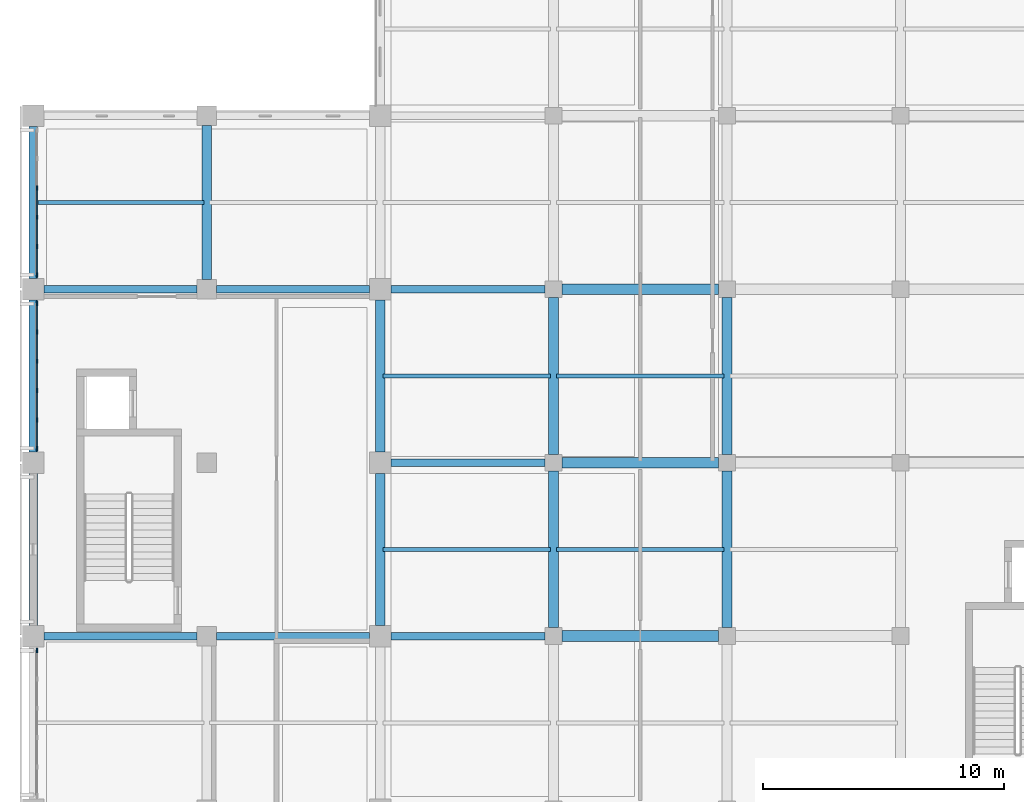
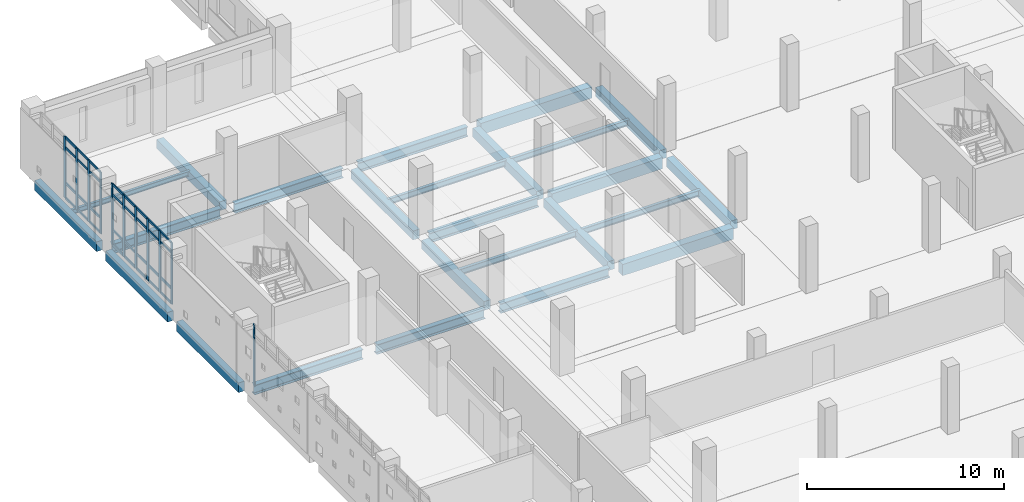
# One storey, part 23 of 62: 43 members, 25 beams, 3 elements without a shape of their own.
"""IFC4 building model written with IfcOpenShell, lengths in metres."""

from ifc_helpers import new_model, si_unit, direction, frame, origin, origin_2d, place, context, subcontext, project, spatial, rectangle, i_section, extrude, material, layer, layer_set, material_profile, profile_set, type_object, element, aggregate, save


model = new_model("IFC4")

# Units and contexts
model_context = context("Model", 3, precision=1e-05, world=origin(), true_north=direction((0.0, 1.0)))
body_context = subcontext(model_context, "Body", "Model", "MODEL_VIEW")
ifc_project = project(units=[si_unit("LENGTHUNIT", "METRE"), si_unit("AREAUNIT", "SQUARE_METRE"), si_unit("VOLUMEUNIT", "CUBIC_METRE"), si_unit("PLANEANGLEUNIT", "RADIAN"), si_unit("MASSUNIT", "GRAM", prefix="KILO")], contexts=[model_context])

# Site, building, storey
site_placement = place(None, origin())
site = spatial("IfcSite", under=ifc_project, at=site_placement, CompositionType="ELEMENT")
building_placement = place(site_placement, origin())
building = spatial("IfcBuilding", under=site, at=building_placement, Name="Valkovuoma Quantum and Materials Research Institute", CompositionType="ELEMENT")
storey_placement = place(building_placement, frame((0.0, 0.0, 8.9599609375)))
storey = spatial("IfcBuildingStorey", under=building, at=storey_placement, Name="L02", CompositionType="ELEMENT", Elevation=8.9599609375)

# Beams
ifc_material_1 = material(Name="Steel S355J2", Category="steel")
ifc_material_profile_1 = material_profile(ifc_material_1, i_section(OverallWidth=0.300048828125, OverallDepth=0.60009765625, WebThickness=0.015380859375, FlangeThickness=0.030029296875, FilletRadius=0.027099609375, at=origin_2d()), Name="Steel S355J2")
ifc_profile_set_1 = profile_set([ifc_material_profile_1], Name="Steel S355J2")
beam_type_1 = type_object("IfcBeamType", Name="Beam-B-HEB600", PredefinedType="BEAM", material=ifc_profile_set_1)
beam_1_placement = place(storey_placement, frame((0.449951171875, 72.0, -0.64990234375), z_axis=(1.0, 0.0, 0.0), x_axis=(0.0, 1.0, 0.0)))
element("IfcBeam", 1, at=beam_1_placement, inside=storey, type_object=beam_type_1, Name="L02 beam X-1084", PredefinedType="BEAM", context=body_context, shape_type="SweptSolid", body=[
    extrude(i_section(OverallWidth=0.300048828125, OverallDepth=0.60009765625, WebThickness=0.015380859375, FlangeThickness=0.030029296875, FilletRadius=0.027099609375, at=origin_2d()), origin(), (0.0, 0.0, 1.0), 6.35009765625),
])
beam_2_placement = place(storey_placement, frame((7.60009765625, 72.0, -0.64990234375), z_axis=(1.0, 0.0, 0.0), x_axis=(0.0, 1.0, 0.0)))
element("IfcBeam", 2, at=beam_2_placement, inside=storey, type_object=beam_type_1, Name="L02 beam X-1085", PredefinedType="BEAM", context=body_context, shape_type="SweptSolid", body=[
    extrude(i_section(OverallWidth=0.300048828125, OverallDepth=0.60009765625, WebThickness=0.015380859375, FlangeThickness=0.030029296875, FilletRadius=0.027099609375, at=origin_2d()), origin(), (0.0, 0.0, 1.0), 6.349853515625),
])
for number, where, z_axis, x_axis, name in (
    (3, (14.85009765625, 72.0, -0.64990234375), (1.0, 0.0, 0.0), (0.0, 1.0, 0.0), "L02 beam X-1086"),
    (4, (14.85009765625, 79.199951171875, -0.64990234375), (1.0, 0.0, 0.0), (0.0, 1.0, 0.0), "L02 beam X-1094"),
):
    element("IfcBeam", number, at=place(storey_placement, frame(where, z_axis=z_axis, x_axis=x_axis)), inside=storey, type_object=beam_type_1, Name=name, PredefinedType="BEAM", context=body_context, shape_type="SweptSolid", body=[
        extrude(i_section(OverallWidth=0.300048828125, OverallDepth=0.60009765625, WebThickness=0.015380859375, FlangeThickness=0.030029296875, FilletRadius=0.027099609375, at=origin_2d()), origin(), (0.0, 0.0, 1.0), 6.39990234375),
    ])
beam_3_placement = place(storey_placement, frame((0.449951171875, 86.39990234375, -0.64990234375), z_axis=(1.0, 0.0, 0.0), x_axis=(0.0, 1.0, 0.0)))
element("IfcBeam", 5, at=beam_3_placement, inside=storey, type_object=beam_type_1, Name="L02 beam X-1104", PredefinedType="BEAM", context=body_context, shape_type="SweptSolid", body=[
    extrude(i_section(OverallWidth=0.300048828125, OverallDepth=0.60009765625, WebThickness=0.015380859375, FlangeThickness=0.030029296875, FilletRadius=0.027099609375, at=origin_2d()), origin(), (0.0, 0.0, 1.0), 6.35009765625),
])
beam_4_placement = place(storey_placement, frame((7.60009765625, 86.39990234375, -0.64990234375), z_axis=(1.0, 0.0, 0.0), x_axis=(0.0, 1.0, 0.0)))
element("IfcBeam", 6, at=beam_4_placement, inside=storey, type_object=beam_type_1, Name="L02 beam X-1105", PredefinedType="BEAM", context=body_context, shape_type="SweptSolid", body=[
    extrude(i_section(OverallWidth=0.300048828125, OverallDepth=0.60009765625, WebThickness=0.015380859375, FlangeThickness=0.030029296875, FilletRadius=0.027099609375, at=origin_2d()), origin(), (0.0, 0.0, 1.0), 6.349853515625),
])
beam_5_placement = place(storey_placement, frame((14.85009765625, 86.39990234375, -0.64990234375), z_axis=(1.0, 0.0, 0.0), x_axis=(0.0, 1.0, 0.0)))
element("IfcBeam", 7, at=beam_5_placement, inside=storey, type_object=beam_type_1, Name="L02 beam X-1106", PredefinedType="BEAM", context=body_context, shape_type="SweptSolid", body=[
    extrude(i_section(OverallWidth=0.300048828125, OverallDepth=0.60009765625, WebThickness=0.015380859375, FlangeThickness=0.030029296875, FilletRadius=0.027099609375, at=origin_2d()), origin(), (0.0, 0.0, 1.0), 6.39990234375),
])
ifc_material_2 = material(Name="Steel S355J2", Category="steel")
ifc_material_profile_2 = material_profile(ifc_material_2, i_section(OverallWidth=0.14990234375, OverallDepth=0.300048828125, WebThickness=0.007080078125, FlangeThickness=0.0107421875, FilletRadius=0.014892578125, at=origin_2d()), Name="Steel S355J2")
ifc_profile_set_2 = profile_set([ifc_material_profile_2], Name="Steel S355J2")
beam_type_2 = type_object("IfcBeamType", Name="Beam-B-JST300", PredefinedType="JOIST", material=ifc_profile_set_2)
beam_6_placement = place(storey_placement, frame((0.1201171875, 90.0, -0.5), z_axis=(1.0, 0.0, 0.0), x_axis=(0.0, 1.0, 0.0)))
element("IfcBeam", 8, at=beam_6_placement, inside=storey, type_object=beam_type_2, Name="L02 floor joist 1387", PredefinedType="JOIST", context=body_context, shape_type="SweptSolid", body=[
    extrude(i_section(OverallWidth=0.14990234375, OverallDepth=0.300048828125, WebThickness=0.007080078125, FlangeThickness=0.0107421875, FilletRadius=0.014892578125, at=origin_2d()), origin(), (0.0, 0.0, 1.0), 6.9599609375),
])
ifc_material_3 = material(Name="Steel S355J2", Category="steel")
ifc_material_profile_3 = material_profile(ifc_material_3, i_section(OverallWidth=0.169921875, OverallDepth=0.360107421875, WebThickness=0.008056640625, FlangeThickness=0.0126953125, FilletRadius=0.01806640625, at=origin_2d()), Name="Steel S355J2")
ifc_profile_set_3 = profile_set([ifc_material_profile_3], Name="Steel S355J2")
beam_type_3 = type_object("IfcBeamType", Name="Beam-B-JST360", PredefinedType="JOIST", material=ifc_profile_set_3)
for number, where, z_axis, x_axis, name in (
    (9, (14.52001953125, 75.60009765625, -0.530029296875), (1.0, 0.0, 0.0), (0.0, 1.0, 0.0), "L02 floor joist 1369"),
    (10, (21.719970703125, 75.60009765625, -0.530029296875), (1.0, 0.0, 0.0), (0.0, 1.0, 0.0), "L02 floor joist 1370"),
    (11, (14.52001953125, 82.800048828125, -0.530029296875), (1.0, 0.0, 0.0), (0.0, 1.0, 0.0), "L02 floor joist 1377"),
    (12, (21.719970703125, 82.800048828125, -0.530029296875), (1.0, 0.0, 0.0), (0.0, 1.0, 0.0), "L02 floor joist 1378"),
):
    element("IfcBeam", number, at=place(storey_placement, frame(where, z_axis=z_axis, x_axis=x_axis)), inside=storey, type_object=beam_type_3, Name=name, PredefinedType="JOIST", context=body_context, shape_type="SweptSolid", body=[
        extrude(i_section(OverallWidth=0.169921875, OverallDepth=0.360107421875, WebThickness=0.008056640625, FlangeThickness=0.0126953125, FilletRadius=0.01806640625, at=origin_2d()), origin(), (0.0, 0.0, 1.0), 6.9599609375),
    ])
ifc_material_4 = material(Name="Concrete C40/50", Category="concrete")
ifc_material_profile_4 = material_profile(ifc_material_4, rectangle(XDim=0.39990234375, YDim=0.550048828125, at=origin_2d()), Name="Concrete C40/50")
ifc_profile_set_4 = profile_set([ifc_material_profile_4], Name="Concrete C40/50")
beam_type_4 = type_object("IfcBeamType", Name="Beam-B-RC550", PredefinedType="BEAM", material=ifc_profile_set_4)
beam_7_placement = place(storey_placement, frame((7.199951171875, 86.800048828125, -0.625), z_axis=(0.0, 1.0, 0.0), x_axis=(-1.0, 0.0, 0.0)))
element("IfcBeam", 13, at=beam_7_placement, inside=storey, type_object=beam_type_4, Name="L02 beam Y-1160", PredefinedType="BEAM", context=body_context, shape_type="SweptSolid", body=[
    extrude(rectangle(XDim=0.39990234375, YDim=0.550048828125, at=origin_2d()), origin(), (0.0, 0.0, 1.0), 6.39990234375),
])
for number, where, z_axis, x_axis, name in (
    (14, (14.39990234375, 72.449951171875, -0.625), (0.0, 1.0, 0.0), (-1.0, 0.0, 0.0), "L02 beam Y-1163"),
    (15, (14.39990234375, 79.64990234375, -0.625), (0.0, 1.0, 0.0), (-1.0, 0.0, 0.0), "L02 beam Y-1164"),
):
    element("IfcBeam", number, at=place(storey_placement, frame(where, z_axis=z_axis, x_axis=x_axis)), inside=storey, type_object=beam_type_4, Name=name, PredefinedType="BEAM", context=body_context, shape_type="SweptSolid", body=[
        extrude(rectangle(XDim=0.39990234375, YDim=0.550048828125, at=origin_2d()), origin(), (0.0, 0.0, 1.0), 6.300048828125),
    ])
for number, where, z_axis, x_axis, name in (
    (16, (21.60009765625, 72.35009765625, -0.625), (0.0, 1.0, 0.0), (-1.0, 0.0, 0.0), "L02 beam Y-1173"),
    (17, (21.60009765625, 79.550048828125, -0.625), (0.0, 1.0, 0.0), (-1.0, 0.0, 0.0), "L02 beam Y-1174"),
    (18, (28.800048828125, 72.35009765625, -0.625), (0.0, 1.0, 0.0), (-1.0, 0.0, 0.0), "L02 beam Y-1183"),
    (19, (28.800048828125, 79.550048828125, -0.625), (0.0, 1.0, 0.0), (-1.0, 0.0, 0.0), "L02 beam Y-1184"),
):
    element("IfcBeam", number, at=place(storey_placement, frame(where, z_axis=z_axis, x_axis=x_axis)), inside=storey, type_object=beam_type_4, Name=name, PredefinedType="BEAM", context=body_context, shape_type="SweptSolid", body=[
        extrude(rectangle(XDim=0.39990234375, YDim=0.550048828125, at=origin_2d()), origin(), (0.0, 0.0, 1.0), 6.5),
    ])
ifc_material_5 = material(Name="Concrete C40/50", Category="concrete")
ifc_material_profile_5 = material_profile(ifc_material_5, rectangle(XDim=0.449951171875, YDim=0.699951171875, at=origin_2d()), Name="Concrete C40/50")
ifc_profile_set_5 = profile_set([ifc_material_profile_5], Name="Concrete C40/50")
beam_type_5 = type_object("IfcBeamType", Name="Beam-B-RC700", PredefinedType="BEAM", material=ifc_profile_set_5)
for number, where, z_axis, x_axis, name in (
    (20, (21.949951171875, 72.0, -0.699951171875), (1.0, 0.0, 0.0), (0.0, 1.0, 0.0), "L02 beam X-1087"),
    (21, (21.949951171875, 79.199951171875, -0.699951171875), (1.0, 0.0, 0.0), (0.0, 1.0, 0.0), "L02 beam X-1095"),
    (22, (21.949951171875, 86.39990234375, -0.699951171875), (1.0, 0.0, 0.0), (0.0, 1.0, 0.0), "L02 beam X-1107"),
):
    element("IfcBeam", number, at=place(storey_placement, frame(where, z_axis=z_axis, x_axis=x_axis)), inside=storey, type_object=beam_type_5, Name=name, PredefinedType="BEAM", context=body_context, shape_type="SweptSolid", body=[
        extrude(rectangle(XDim=0.449951171875, YDim=0.699951171875, at=origin_2d()), origin(), (0.0, 0.0, 1.0), 6.5),
    ])
ifc_material_6 = material(Name="Concrete C40/50", Category="concrete")
ifc_material_profile_6 = material_profile(ifc_material_6, rectangle(XDim=0.35009765625, YDim=0.60009765625, at=origin_2d()), Name="Concrete C40/50")
ifc_profile_set_6 = profile_set([ifc_material_profile_6], Name="Concrete C40/50")
beam_type_6 = type_object("IfcBeamType", Name="Beam-B-SPN600", PredefinedType="SPANDREL", material=ifc_profile_set_6)
for number, where, z_axis, x_axis, name in (
    (23, (0.0, 72.449951171875, -0.64990234375), (0.0, 1.0, 0.0), (-1.0, 0.0, 0.0), "L02 beam Y-1155"),
    (24, (0.0, 79.64990234375, -0.64990234375), (0.0, 1.0, 0.0), (-1.0, 0.0, 0.0), "L02 beam Y-1156"),
):
    element("IfcBeam", number, at=place(storey_placement, frame(where, z_axis=z_axis, x_axis=x_axis)), inside=storey, type_object=beam_type_6, Name=name, PredefinedType="SPANDREL", context=body_context, shape_type="SweptSolid", body=[
        extrude(rectangle(XDim=0.35009765625, YDim=0.60009765625, at=origin_2d()), origin(), (0.0, 0.0, 1.0), 6.300048828125),
    ])
beam_8_placement = place(storey_placement, frame((0.0, 86.85009765625, -0.64990234375), z_axis=(0.0, 1.0, 0.0), x_axis=(-1.0, 0.0, 0.0)))
element("IfcBeam", 25, at=beam_8_placement, inside=storey, type_object=beam_type_6, Name="L02 beam Y-1157", PredefinedType="SPANDREL", context=body_context, shape_type="SweptSolid", body=[
    extrude(rectangle(XDim=0.35009765625, YDim=0.60009765625, at=origin_2d()), origin(), (0.0, 0.0, 1.0), 6.2998046875),
])

# Curtain wall, member
ifc_material_7 = material(Name="Thermally broken aluminium and triple low-E glazing", Category="aluminium")
ifc_layer = layer(ifc_material_7, 0.219970703125)
ifc_layer_set = layer_set([ifc_layer], Name="Thermally broken aluminium and triple low-E glazing")
curtain_wall_type = type_object("IfcCurtainWallType", Name="CW-CW-01", PredefinedType="NOTDEFINED", material=ifc_layer_set)
curtain_wall_1_placement = place(storey_placement, origin())
curtain_wall_1 = element("IfcCurtainWall", 26, at=curtain_wall_1_placement, inside=storey, type_object=curtain_wall_type, Name="L02 curtain wall 025", PredefinedType="NOTDEFINED")
ifc_material_8 = material(Name="Anodised aluminium 6060-T66", Category="aluminium")
ifc_material_profile_7 = material_profile(ifc_material_8, rectangle(XDim=0.06494140625, YDim=0.179931640625, at=origin_2d()), Name="Anodised aluminium 6060-T66")
ifc_profile_set_7 = profile_set([ifc_material_profile_7], Name="Anodised aluminium 6060-T66")
member_type_1 = type_object("IfcMemberType", Name="CWMull-CWM-01", PredefinedType="MULLION", material=ifc_profile_set_7)
member_1_placement = place(storey_placement, frame((0.14990234375, 71.410400390625, 0.0), z_axis=(0.0, 0.0, 1.0), x_axis=(-1.0, 0.0, 0.0)))
member_1 = element("IfcMember", 27, at=member_1_placement, type_object=member_type_1, Name="CW-01 mullion 6", PredefinedType="MULLION", context=body_context, shape_type="SweptSolid", body=[
    extrude(rectangle(XDim=0.06494140625, YDim=0.179931640625, at=origin_2d()), origin(), (0.0, 0.0, 1.0), 3.81005859375),
])
aggregate(curtain_wall_1, [member_1])

# Curtain wall, members
curtain_wall_2_placement = place(storey_placement, origin())
curtain_wall_2 = element("IfcCurtainWall", 28, at=curtain_wall_2_placement, inside=storey, type_object=curtain_wall_type, Name="L02 curtain wall 026", PredefinedType="NOTDEFINED")
member_2_placement = place(storey_placement, frame((0.14990234375, 79.78955078125, 0.0), z_axis=(0.0, 0.0, 1.0), x_axis=(-1.0, 0.0, 0.0)))
member_2 = element("IfcMember", 29, at=member_2_placement, type_object=member_type_1, Name="CW-01 mullion 1", PredefinedType="MULLION", context=body_context, shape_type="SweptSolid", body=[
    extrude(rectangle(XDim=0.06494140625, YDim=0.179931640625, at=origin_2d()), origin(), (0.0, 0.0, 1.0), 3.81005859375),
])
member_3_placement = place(storey_placement, frame((0.14990234375, 80.974365234375, 0.0), z_axis=(0.0, 0.0, 1.0), x_axis=(-1.0, 0.0, 0.0)))
member_3 = element("IfcMember", 30, at=member_3_placement, type_object=member_type_1, Name="CW-01 mullion 2", PredefinedType="MULLION", context=body_context, shape_type="SweptSolid", body=[
    extrude(rectangle(XDim=0.06494140625, YDim=0.179931640625, at=origin_2d()), origin(), (0.0, 0.0, 1.0), 3.81005859375),
])
member_4_placement = place(storey_placement, frame((0.14990234375, 82.19140625, 0.0), z_axis=(0.0, 0.0, 1.0), x_axis=(-1.0, 0.0, 0.0)))
member_4 = element("IfcMember", 31, at=member_4_placement, type_object=member_type_1, Name="CW-01 mullion 3", PredefinedType="MULLION", context=body_context, shape_type="SweptSolid", body=[
    extrude(rectangle(XDim=0.06494140625, YDim=0.179931640625, at=origin_2d()), origin(), (0.0, 0.0, 1.0), 3.81005859375),
])
member_5_placement = place(storey_placement, frame((0.14990234375, 83.40869140625, 0.0), z_axis=(0.0, 0.0, 1.0), x_axis=(-1.0, 0.0, 0.0)))
member_5 = element("IfcMember", 32, at=member_5_placement, type_object=member_type_1, Name="CW-01 mullion 4", PredefinedType="MULLION", context=body_context, shape_type="SweptSolid", body=[
    extrude(rectangle(XDim=0.06494140625, YDim=0.179931640625, at=origin_2d()), origin(), (0.0, 0.0, 1.0), 3.81005859375),
])
member_6_placement = place(storey_placement, frame((0.14990234375, 84.625732421875, 0.0), z_axis=(0.0, 0.0, 1.0), x_axis=(-1.0, 0.0, 0.0)))
member_6 = element("IfcMember", 33, at=member_6_placement, type_object=member_type_1, Name="CW-01 mullion 5", PredefinedType="MULLION", context=body_context, shape_type="SweptSolid", body=[
    extrude(rectangle(XDim=0.06494140625, YDim=0.179931640625, at=origin_2d()), origin(), (0.0, 0.0, 1.0), 3.81005859375),
])
member_7_placement = place(storey_placement, frame((0.14990234375, 85.810302734375, 0.0), z_axis=(0.0, 0.0, 1.0), x_axis=(-1.0, 0.0, 0.0)))
member_7 = element("IfcMember", 34, at=member_7_placement, type_object=member_type_1, Name="CW-01 mullion 6", PredefinedType="MULLION", context=body_context, shape_type="SweptSolid", body=[
    extrude(rectangle(XDim=0.06494140625, YDim=0.179931640625, at=origin_2d()), origin(), (0.0, 0.0, 1.0), 3.81005859375),
])

curtain_wall_3_placement = place(storey_placement, origin())
curtain_wall_3 = element("IfcCurtainWall", 35, at=curtain_wall_3_placement, inside=storey, type_object=curtain_wall_type, Name="L02 curtain wall 027", PredefinedType="NOTDEFINED")
member_8_placement = place(storey_placement, frame((0.14990234375, 86.989501953125, 0.0), z_axis=(0.0, 0.0, 1.0), x_axis=(-1.0, 0.0, 0.0)))
member_8 = element("IfcMember", 36, at=member_8_placement, type_object=member_type_1, Name="CW-01 mullion 1", PredefinedType="MULLION", context=body_context, shape_type="SweptSolid", body=[
    extrude(rectangle(XDim=0.06494140625, YDim=0.179931640625, at=origin_2d()), origin(), (0.0, 0.0, 1.0), 3.81005859375),
])
member_9_placement = place(storey_placement, frame((0.14990234375, 88.17431640625, 0.0), z_axis=(0.0, 0.0, 1.0), x_axis=(-1.0, 0.0, 0.0)))
member_9 = element("IfcMember", 37, at=member_9_placement, type_object=member_type_1, Name="CW-01 mullion 2", PredefinedType="MULLION", context=body_context, shape_type="SweptSolid", body=[
    extrude(rectangle(XDim=0.06494140625, YDim=0.179931640625, at=origin_2d()), origin(), (0.0, 0.0, 1.0), 3.81005859375),
])
member_10_placement = place(storey_placement, frame((0.14990234375, 89.391357421875, 0.0), z_axis=(0.0, 0.0, 1.0), x_axis=(-1.0, 0.0, 0.0)))
member_10 = element("IfcMember", 38, at=member_10_placement, type_object=member_type_1, Name="CW-01 mullion 3", PredefinedType="MULLION", context=body_context, shape_type="SweptSolid", body=[
    extrude(rectangle(XDim=0.06494140625, YDim=0.179931640625, at=origin_2d()), origin(), (0.0, 0.0, 1.0), 3.81005859375),
])
member_11_placement = place(storey_placement, frame((0.14990234375, 90.608642578125, 0.0), z_axis=(0.0, 0.0, 1.0), x_axis=(-1.0, 0.0, 0.0)))
member_11 = element("IfcMember", 39, at=member_11_placement, type_object=member_type_1, Name="CW-01 mullion 4", PredefinedType="MULLION", context=body_context, shape_type="SweptSolid", body=[
    extrude(rectangle(XDim=0.06494140625, YDim=0.179931640625, at=origin_2d()), origin(), (0.0, 0.0, 1.0), 3.81005859375),
])

# Member
ifc_material_9 = material(Name="Anodised aluminium 6060-T66", Category="aluminium")
ifc_material_profile_8 = material_profile(ifc_material_9, rectangle(XDim=0.06494140625, YDim=0.139892578125, at=origin_2d()), Name="Anodised aluminium 6060-T66")
ifc_profile_set_8 = profile_set([ifc_material_profile_8], Name="Anodised aluminium 6060-T66")
member_type_2 = type_object("IfcMemberType", Name="CWTran-CWT-01", PredefinedType="USERDEFINED", material=ifc_profile_set_8)
member_12_placement = place(storey_placement, frame((0.14990234375, 79.822021484375, 0.032470703125), z_axis=(0.0, 1.0, 0.0), x_axis=(-1.0, 0.0, 0.0)))
member_12 = element("IfcMember", 40, at=member_12_placement, type_object=member_type_2, Name="CW-01 transom 1.1", ObjectType="TRANSOM", PredefinedType="USERDEFINED", context=body_context, shape_type="SweptSolid", body=[
    extrude(rectangle(XDim=0.06494140625, YDim=0.139892578125, at=origin_2d()), origin(), (0.0, 0.0, 1.0), 1.11962890625),
])

member_13_placement = place(storey_placement, frame((0.14990234375, 79.822021484375, 0.949951171875), z_axis=(0.0, 1.0, 0.0), x_axis=(-1.0, 0.0, 0.0)))
member_13 = element("IfcMember", 41, at=member_13_placement, type_object=member_type_2, Name="CW-01 transom 1.2", ObjectType="TRANSOM", PredefinedType="USERDEFINED", context=body_context, shape_type="SweptSolid", body=[
    extrude(rectangle(XDim=0.06494140625, YDim=0.139892578125, at=origin_2d()), origin(), (0.0, 0.0, 1.0), 1.11962890625),
])

member_14_placement = place(storey_placement, frame((0.14990234375, 79.822021484375, 3.16015625), z_axis=(0.0, 1.0, 0.0), x_axis=(-1.0, 0.0, 0.0)))
member_14 = element("IfcMember", 42, at=member_14_placement, type_object=member_type_2, Name="CW-01 transom 1.3", ObjectType="TRANSOM", PredefinedType="USERDEFINED", context=body_context, shape_type="SweptSolid", body=[
    extrude(rectangle(XDim=0.06494140625, YDim=0.139892578125, at=origin_2d()), origin(), (0.0, 0.0, 1.0), 1.11962890625),
])

member_15_placement = place(storey_placement, frame((0.14990234375, 79.822021484375, 3.777587890625), z_axis=(0.0, 1.0, 0.0), x_axis=(-1.0, 0.0, 0.0)))
member_15 = element("IfcMember", 43, at=member_15_placement, type_object=member_type_2, Name="CW-01 transom 1.4", ObjectType="TRANSOM", PredefinedType="USERDEFINED", context=body_context, shape_type="SweptSolid", body=[
    extrude(rectangle(XDim=0.06494140625, YDim=0.139892578125, at=origin_2d()), origin(), (0.0, 0.0, 1.0), 1.11962890625),
])

member_16_placement = place(storey_placement, frame((0.14990234375, 81.0068359375, 0.032470703125), z_axis=(0.0, 1.0, 0.0), x_axis=(-1.0, 0.0, 0.0)))
member_16 = element("IfcMember", 44, at=member_16_placement, type_object=member_type_2, Name="CW-01 transom 2.1", ObjectType="TRANSOM", PredefinedType="USERDEFINED", context=body_context, shape_type="SweptSolid", body=[
    extrude(rectangle(XDim=0.06494140625, YDim=0.139892578125, at=origin_2d()), origin(), (0.0, 0.0, 1.0), 1.152099609375),
])

member_17_placement = place(storey_placement, frame((0.14990234375, 81.0068359375, 0.949951171875), z_axis=(0.0, 1.0, 0.0), x_axis=(-1.0, 0.0, 0.0)))
member_17 = element("IfcMember", 45, at=member_17_placement, type_object=member_type_2, Name="CW-01 transom 2.2", ObjectType="TRANSOM", PredefinedType="USERDEFINED", context=body_context, shape_type="SweptSolid", body=[
    extrude(rectangle(XDim=0.06494140625, YDim=0.139892578125, at=origin_2d()), origin(), (0.0, 0.0, 1.0), 1.152099609375),
])

member_18_placement = place(storey_placement, frame((0.14990234375, 81.0068359375, 3.16015625), z_axis=(0.0, 1.0, 0.0), x_axis=(-1.0, 0.0, 0.0)))
member_18 = element("IfcMember", 46, at=member_18_placement, type_object=member_type_2, Name="CW-01 transom 2.3", ObjectType="TRANSOM", PredefinedType="USERDEFINED", context=body_context, shape_type="SweptSolid", body=[
    extrude(rectangle(XDim=0.06494140625, YDim=0.139892578125, at=origin_2d()), origin(), (0.0, 0.0, 1.0), 1.152099609375),
])

member_19_placement = place(storey_placement, frame((0.14990234375, 81.0068359375, 3.777587890625), z_axis=(0.0, 1.0, 0.0), x_axis=(-1.0, 0.0, 0.0)))
member_19 = element("IfcMember", 47, at=member_19_placement, type_object=member_type_2, Name="CW-01 transom 2.4", ObjectType="TRANSOM", PredefinedType="USERDEFINED", context=body_context, shape_type="SweptSolid", body=[
    extrude(rectangle(XDim=0.06494140625, YDim=0.139892578125, at=origin_2d()), origin(), (0.0, 0.0, 1.0), 1.152099609375),
])

member_20_placement = place(storey_placement, frame((0.14990234375, 82.223876953125, 0.032470703125), z_axis=(0.0, 1.0, 0.0), x_axis=(-1.0, 0.0, 0.0)))
member_20 = element("IfcMember", 48, at=member_20_placement, type_object=member_type_2, Name="CW-01 transom 3.1", ObjectType="TRANSOM", PredefinedType="USERDEFINED", context=body_context, shape_type="SweptSolid", body=[
    extrude(rectangle(XDim=0.06494140625, YDim=0.139892578125, at=origin_2d()), origin(), (0.0, 0.0, 1.0), 1.152099609375),
])

member_21_placement = place(storey_placement, frame((0.14990234375, 82.223876953125, 0.949951171875), z_axis=(0.0, 1.0, 0.0), x_axis=(-1.0, 0.0, 0.0)))
member_21 = element("IfcMember", 49, at=member_21_placement, type_object=member_type_2, Name="CW-01 transom 3.2", ObjectType="TRANSOM", PredefinedType="USERDEFINED", context=body_context, shape_type="SweptSolid", body=[
    extrude(rectangle(XDim=0.06494140625, YDim=0.139892578125, at=origin_2d()), origin(), (0.0, 0.0, 1.0), 1.152099609375),
])

member_22_placement = place(storey_placement, frame((0.14990234375, 82.223876953125, 3.16015625), z_axis=(0.0, 1.0, 0.0), x_axis=(-1.0, 0.0, 0.0)))
member_22 = element("IfcMember", 50, at=member_22_placement, type_object=member_type_2, Name="CW-01 transom 3.3", ObjectType="TRANSOM", PredefinedType="USERDEFINED", context=body_context, shape_type="SweptSolid", body=[
    extrude(rectangle(XDim=0.06494140625, YDim=0.139892578125, at=origin_2d()), origin(), (0.0, 0.0, 1.0), 1.152099609375),
])

member_23_placement = place(storey_placement, frame((0.14990234375, 82.223876953125, 3.777587890625), z_axis=(0.0, 1.0, 0.0), x_axis=(-1.0, 0.0, 0.0)))
member_23 = element("IfcMember", 51, at=member_23_placement, type_object=member_type_2, Name="CW-01 transom 3.4", ObjectType="TRANSOM", PredefinedType="USERDEFINED", context=body_context, shape_type="SweptSolid", body=[
    extrude(rectangle(XDim=0.06494140625, YDim=0.139892578125, at=origin_2d()), origin(), (0.0, 0.0, 1.0), 1.152099609375),
])

member_24_placement = place(storey_placement, frame((0.14990234375, 83.441162109375, 0.032470703125), z_axis=(0.0, 1.0, 0.0), x_axis=(-1.0, 0.0, 0.0)))
member_24 = element("IfcMember", 52, at=member_24_placement, type_object=member_type_2, Name="CW-01 transom 4.1", ObjectType="TRANSOM", PredefinedType="USERDEFINED", context=body_context, shape_type="SweptSolid", body=[
    extrude(rectangle(XDim=0.06494140625, YDim=0.139892578125, at=origin_2d()), origin(), (0.0, 0.0, 1.0), 1.152099609375),
])

member_25_placement = place(storey_placement, frame((0.14990234375, 83.441162109375, 0.949951171875), z_axis=(0.0, 1.0, 0.0), x_axis=(-1.0, 0.0, 0.0)))
member_25 = element("IfcMember", 53, at=member_25_placement, type_object=member_type_2, Name="CW-01 transom 4.2", ObjectType="TRANSOM", PredefinedType="USERDEFINED", context=body_context, shape_type="SweptSolid", body=[
    extrude(rectangle(XDim=0.06494140625, YDim=0.139892578125, at=origin_2d()), origin(), (0.0, 0.0, 1.0), 1.152099609375),
])

member_26_placement = place(storey_placement, frame((0.14990234375, 83.441162109375, 3.16015625), z_axis=(0.0, 1.0, 0.0), x_axis=(-1.0, 0.0, 0.0)))
member_26 = element("IfcMember", 54, at=member_26_placement, type_object=member_type_2, Name="CW-01 transom 4.3", ObjectType="TRANSOM", PredefinedType="USERDEFINED", context=body_context, shape_type="SweptSolid", body=[
    extrude(rectangle(XDim=0.06494140625, YDim=0.139892578125, at=origin_2d()), origin(), (0.0, 0.0, 1.0), 1.152099609375),
])

member_27_placement = place(storey_placement, frame((0.14990234375, 83.441162109375, 3.777587890625), z_axis=(0.0, 1.0, 0.0), x_axis=(-1.0, 0.0, 0.0)))
member_27 = element("IfcMember", 55, at=member_27_placement, type_object=member_type_2, Name="CW-01 transom 4.4", ObjectType="TRANSOM", PredefinedType="USERDEFINED", context=body_context, shape_type="SweptSolid", body=[
    extrude(rectangle(XDim=0.06494140625, YDim=0.139892578125, at=origin_2d()), origin(), (0.0, 0.0, 1.0), 1.152099609375),
])

member_28_placement = place(storey_placement, frame((0.14990234375, 84.658203125, 0.032470703125), z_axis=(0.0, 1.0, 0.0), x_axis=(-1.0, 0.0, 0.0)))
member_28 = element("IfcMember", 56, at=member_28_placement, type_object=member_type_2, Name="CW-01 transom 5.1", ObjectType="TRANSOM", PredefinedType="USERDEFINED", context=body_context, shape_type="SweptSolid", body=[
    extrude(rectangle(XDim=0.06494140625, YDim=0.139892578125, at=origin_2d()), origin(), (0.0, 0.0, 1.0), 1.11962890625),
])

member_29_placement = place(storey_placement, frame((0.14990234375, 84.658203125, 0.949951171875), z_axis=(0.0, 1.0, 0.0), x_axis=(-1.0, 0.0, 0.0)))
member_29 = element("IfcMember", 57, at=member_29_placement, type_object=member_type_2, Name="CW-01 transom 5.2", ObjectType="TRANSOM", PredefinedType="USERDEFINED", context=body_context, shape_type="SweptSolid", body=[
    extrude(rectangle(XDim=0.06494140625, YDim=0.139892578125, at=origin_2d()), origin(), (0.0, 0.0, 1.0), 1.11962890625),
])

member_30_placement = place(storey_placement, frame((0.14990234375, 84.658203125, 3.16015625), z_axis=(0.0, 1.0, 0.0), x_axis=(-1.0, 0.0, 0.0)))
member_30 = element("IfcMember", 58, at=member_30_placement, type_object=member_type_2, Name="CW-01 transom 5.3", ObjectType="TRANSOM", PredefinedType="USERDEFINED", context=body_context, shape_type="SweptSolid", body=[
    extrude(rectangle(XDim=0.06494140625, YDim=0.139892578125, at=origin_2d()), origin(), (0.0, 0.0, 1.0), 1.11962890625),
])

member_31_placement = place(storey_placement, frame((0.14990234375, 84.658203125, 3.777587890625), z_axis=(0.0, 1.0, 0.0), x_axis=(-1.0, 0.0, 0.0)))
member_31 = element("IfcMember", 59, at=member_31_placement, type_object=member_type_2, Name="CW-01 transom 5.4", ObjectType="TRANSOM", PredefinedType="USERDEFINED", context=body_context, shape_type="SweptSolid", body=[
    extrude(rectangle(XDim=0.06494140625, YDim=0.139892578125, at=origin_2d()), origin(), (0.0, 0.0, 1.0), 1.11962890625),
])

aggregate(curtain_wall_2, [member_2, member_3, member_4, member_5, member_6, member_7, member_12, member_13, member_14, member_15, member_16, member_17, member_18, member_19, member_20, member_21, member_22, member_23, member_24, member_25, member_26, member_27, member_28, member_29, member_30, member_31])

member_32_placement = place(storey_placement, frame((0.14990234375, 87.022216796875, 0.032470703125), z_axis=(0.0, 1.0, 0.0), x_axis=(-1.0, 0.0, 0.0)))
member_32 = element("IfcMember", 60, at=member_32_placement, type_object=member_type_2, Name="CW-01 transom 1.1", ObjectType="TRANSOM", PredefinedType="USERDEFINED", context=body_context, shape_type="SweptSolid", body=[
    extrude(rectangle(XDim=0.06494140625, YDim=0.139892578125, at=origin_2d()), origin(), (0.0, 0.0, 1.0), 1.11962890625),
])

member_33_placement = place(storey_placement, frame((0.14990234375, 87.022216796875, 0.949951171875), z_axis=(0.0, 1.0, 0.0), x_axis=(-1.0, 0.0, 0.0)))
member_33 = element("IfcMember", 61, at=member_33_placement, type_object=member_type_2, Name="CW-01 transom 1.2", ObjectType="TRANSOM", PredefinedType="USERDEFINED", context=body_context, shape_type="SweptSolid", body=[
    extrude(rectangle(XDim=0.06494140625, YDim=0.139892578125, at=origin_2d()), origin(), (0.0, 0.0, 1.0), 1.11962890625),
])

member_34_placement = place(storey_placement, frame((0.14990234375, 87.022216796875, 3.16015625), z_axis=(0.0, 1.0, 0.0), x_axis=(-1.0, 0.0, 0.0)))
member_34 = element("IfcMember", 62, at=member_34_placement, type_object=member_type_2, Name="CW-01 transom 1.3", ObjectType="TRANSOM", PredefinedType="USERDEFINED", context=body_context, shape_type="SweptSolid", body=[
    extrude(rectangle(XDim=0.06494140625, YDim=0.139892578125, at=origin_2d()), origin(), (0.0, 0.0, 1.0), 1.11962890625),
])

member_35_placement = place(storey_placement, frame((0.14990234375, 87.022216796875, 3.777587890625), z_axis=(0.0, 1.0, 0.0), x_axis=(-1.0, 0.0, 0.0)))
member_35 = element("IfcMember", 63, at=member_35_placement, type_object=member_type_2, Name="CW-01 transom 1.4", ObjectType="TRANSOM", PredefinedType="USERDEFINED", context=body_context, shape_type="SweptSolid", body=[
    extrude(rectangle(XDim=0.06494140625, YDim=0.139892578125, at=origin_2d()), origin(), (0.0, 0.0, 1.0), 1.11962890625),
])

member_36_placement = place(storey_placement, frame((0.14990234375, 88.206787109375, 0.032470703125), z_axis=(0.0, 1.0, 0.0), x_axis=(-1.0, 0.0, 0.0)))
member_36 = element("IfcMember", 64, at=member_36_placement, type_object=member_type_2, Name="CW-01 transom 2.1", ObjectType="TRANSOM", PredefinedType="USERDEFINED", context=body_context, shape_type="SweptSolid", body=[
    extrude(rectangle(XDim=0.06494140625, YDim=0.139892578125, at=origin_2d()), origin(), (0.0, 0.0, 1.0), 1.152099609375),
])

member_37_placement = place(storey_placement, frame((0.14990234375, 88.206787109375, 0.949951171875), z_axis=(0.0, 1.0, 0.0), x_axis=(-1.0, 0.0, 0.0)))
member_37 = element("IfcMember", 65, at=member_37_placement, type_object=member_type_2, Name="CW-01 transom 2.2", ObjectType="TRANSOM", PredefinedType="USERDEFINED", context=body_context, shape_type="SweptSolid", body=[
    extrude(rectangle(XDim=0.06494140625, YDim=0.139892578125, at=origin_2d()), origin(), (0.0, 0.0, 1.0), 1.152099609375),
])

member_38_placement = place(storey_placement, frame((0.14990234375, 88.206787109375, 3.16015625), z_axis=(0.0, 1.0, 0.0), x_axis=(-1.0, 0.0, 0.0)))
member_38 = element("IfcMember", 66, at=member_38_placement, type_object=member_type_2, Name="CW-01 transom 2.3", ObjectType="TRANSOM", PredefinedType="USERDEFINED", context=body_context, shape_type="SweptSolid", body=[
    extrude(rectangle(XDim=0.06494140625, YDim=0.139892578125, at=origin_2d()), origin(), (0.0, 0.0, 1.0), 1.152099609375),
])

member_39_placement = place(storey_placement, frame((0.14990234375, 88.206787109375, 3.777587890625), z_axis=(0.0, 1.0, 0.0), x_axis=(-1.0, 0.0, 0.0)))
member_39 = element("IfcMember", 67, at=member_39_placement, type_object=member_type_2, Name="CW-01 transom 2.4", ObjectType="TRANSOM", PredefinedType="USERDEFINED", context=body_context, shape_type="SweptSolid", body=[
    extrude(rectangle(XDim=0.06494140625, YDim=0.139892578125, at=origin_2d()), origin(), (0.0, 0.0, 1.0), 1.152099609375),
])

member_40_placement = place(storey_placement, frame((0.14990234375, 89.423828125, 0.032470703125), z_axis=(0.0, 1.0, 0.0), x_axis=(-1.0, 0.0, 0.0)))
member_40 = element("IfcMember", 68, at=member_40_placement, type_object=member_type_2, Name="CW-01 transom 3.1", ObjectType="TRANSOM", PredefinedType="USERDEFINED", context=body_context, shape_type="SweptSolid", body=[
    extrude(rectangle(XDim=0.06494140625, YDim=0.139892578125, at=origin_2d()), origin(), (0.0, 0.0, 1.0), 1.15234375),
])

member_41_placement = place(storey_placement, frame((0.14990234375, 89.423828125, 0.949951171875), z_axis=(0.0, 1.0, 0.0), x_axis=(-1.0, 0.0, 0.0)))
member_41 = element("IfcMember", 69, at=member_41_placement, type_object=member_type_2, Name="CW-01 transom 3.2", ObjectType="TRANSOM", PredefinedType="USERDEFINED", context=body_context, shape_type="SweptSolid", body=[
    extrude(rectangle(XDim=0.06494140625, YDim=0.139892578125, at=origin_2d()), origin(), (0.0, 0.0, 1.0), 1.15234375),
])

member_42_placement = place(storey_placement, frame((0.14990234375, 89.423828125, 3.16015625), z_axis=(0.0, 1.0, 0.0), x_axis=(-1.0, 0.0, 0.0)))
member_42 = element("IfcMember", 70, at=member_42_placement, type_object=member_type_2, Name="CW-01 transom 3.3", ObjectType="TRANSOM", PredefinedType="USERDEFINED", context=body_context, shape_type="SweptSolid", body=[
    extrude(rectangle(XDim=0.06494140625, YDim=0.139892578125, at=origin_2d()), origin(), (0.0, 0.0, 1.0), 1.15234375),
])

member_43_placement = place(storey_placement, frame((0.14990234375, 89.423828125, 3.777587890625), z_axis=(0.0, 1.0, 0.0), x_axis=(-1.0, 0.0, 0.0)))
member_43 = element("IfcMember", 71, at=member_43_placement, type_object=member_type_2, Name="CW-01 transom 3.4", ObjectType="TRANSOM", PredefinedType="USERDEFINED", context=body_context, shape_type="SweptSolid", body=[
    extrude(rectangle(XDim=0.06494140625, YDim=0.139892578125, at=origin_2d()), origin(), (0.0, 0.0, 1.0), 1.15234375),
])

aggregate(curtain_wall_3, [member_8, member_9, member_10, member_11, member_32, member_33, member_34, member_35, member_36, member_37, member_38, member_39, member_40, member_41, member_42, member_43])

save(model, "model.ifc")
